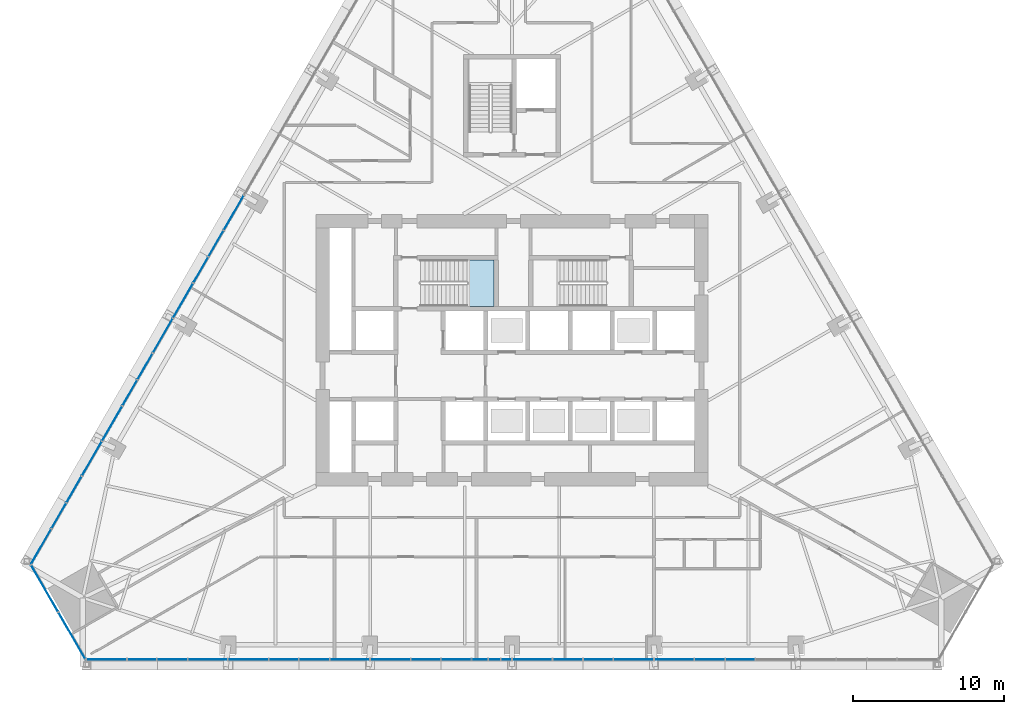
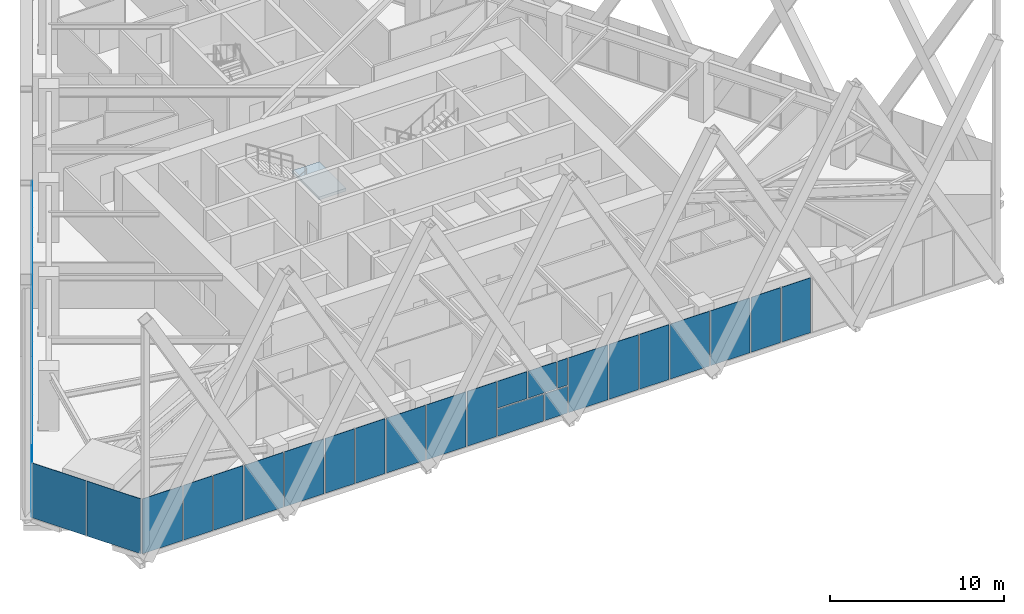
# One storey, part 13 of 21: 36 plates, 1 slab, 4 elements without a shape of their own.
"""IFC4 building model written with IfcOpenShell, lengths in metres."""

from ifc_helpers import new_model, si_unit, direction, frame, origin, place, context, subcontext, project, spatial, polyline, outline, extrude, material, layer, layer_set, type_object, element, aggregate, save


model = new_model("IFC4")

# Units and contexts
model_context = context("Model", 3, precision=1e-05, world=origin(), true_north=direction((0.0, 1.0)))
body_context = subcontext(model_context, "Body", "Model", "MODEL_VIEW")
ifc_project = project(units=[si_unit("LENGTHUNIT", "METRE"), si_unit("AREAUNIT", "SQUARE_METRE"), si_unit("VOLUMEUNIT", "CUBIC_METRE"), si_unit("PLANEANGLEUNIT", "RADIAN"), si_unit("MASSUNIT", "GRAM", prefix="KILO")], contexts=[model_context])

# Site, building, storey
site_placement = place(None, origin())
site = spatial("IfcSite", under=ifc_project, at=site_placement, CompositionType="ELEMENT")
building_placement = place(site_placement, origin())
building = spatial("IfcBuilding", under=site, at=building_placement, Name="Firuza Gate Tower and Library", CompositionType="ELEMENT")
storey_placement = place(building_placement, frame((0.0, 0.0, 90.39990234375)))
storey = spatial("IfcBuildingStorey", under=building, at=storey_placement, Name="L20", CompositionType="ELEMENT", Elevation=90.39990234375)

# Curtain wall, plates
ifc_material_1 = material(Name="Aluminium 6063-T6", Category="aluminium")
ifc_layer_1 = layer(ifc_material_1, 0.14990234375)
ifc_layer_set_1 = layer_set([ifc_layer_1], Name="Corner curtain wall, chamfers")
curtain_wall_type_1 = type_object("IfcCurtainWallType", Name="Corner curtain wall, chamfers", PredefinedType="NOTDEFINED", material=ifc_layer_set_1)
placement = place(storey_placement, origin())
curtain_wall_1 = element("IfcCurtainWall", 1, at=placement, inside=storey, type_object=curtain_wall_type_1, Name="CW4 L20 SW corner", PredefinedType="NOTDEFINED")
ifc_material_2 = material(Name="Fritted glass", Category="glass")
ifc_layer_2 = layer(ifc_material_2, 0.030029296875)
ifc_layer_set_2 = layer_set([ifc_layer_2], Name="Fritted glass unit, corners")
plate_type_1 = type_object("IfcPlateType", Name="Fritted glass unit, corners", PredefinedType="CURTAIN_PANEL", material=ifc_layer_set_2)
plate_1_placement = place(storey_placement, frame((43.1103515625, 60.749267578125, 0.150146484375), z_axis=(-0.866046390552, -0.49996364809, 0.0), x_axis=(0.49996364809, -0.866046390552, 0.0)))
plate_1 = element("IfcPlate", 2, at=plate_1_placement, type_object=plate_type_1, Name="Glass unit", PredefinedType="CURTAIN_PANEL", context=body_context, shape_type="SweptSolid", body=[
    extrude(outline(polyline([(0.0, 0.0), (3.563247342942594, 0.0), (3.563247342942594, 3.849853515625), (0.0, 3.849853515625), (0.0, 0.0)])), origin(), (0.0, 0.0, -1.0), 0.030029296875),
])
plate_2_placement = place(storey_placement, frame((44.931884765625, 57.593994140625, 0.150146484375), z_axis=(-0.866016723041, -0.500015035186, 0.0), x_axis=(0.500015035186, -0.866016723041, 0.0)))
plate_2 = element("IfcPlate", 3, at=plate_2_placement, type_object=plate_type_1, Name="Glass unit", PredefinedType="CURTAIN_PANEL", context=body_context, shape_type="SweptSolid", body=[
    extrude(outline(polyline([(0.0, 0.0), (3.5633694106530625, 0.0), (3.5633694106530625, 3.849853515625), (0.0, 3.849853515625), (0.0, 0.0)])), origin(), (0.0, 0.0, -1.0), 0.030029296875),
])
aggregate(curtain_wall_1, [plate_1, plate_2])

ifc_material_3 = material(Name="Aluminium 6063-T6", Category="aluminium")
ifc_layer_3 = layer(ifc_material_3, 0.14990234375)
ifc_layer_set_3 = layer_set([ifc_layer_3], Name="Unitised curtain wall, offices")
curtain_wall_type_2 = type_object("IfcCurtainWallType", Name="Unitised curtain wall, offices", PredefinedType="NOTDEFINED", material=ifc_layer_set_3)
curtain_wall_2 = element("IfcCurtainWall", 4, at=placement, inside=storey, type_object=curtain_wall_type_2, Name="CW1 L20 S face", PredefinedType="NOTDEFINED")
ifc_material_4 = material(Name="Fritted glass", Category="glass")
ifc_layer_4 = layer(ifc_material_4, 0.030029296875)
ifc_layer_set_4 = layer_set([ifc_layer_4], Name="Fritted glass unit, offices")
plate_type_2 = type_object("IfcPlateType", Name="Fritted glass unit, offices", PredefinedType="CURTAIN_PANEL", material=ifc_layer_set_4)
plate_3_placement = place(storey_placement, frame((49.514892578125, 54.466064453125, 0.150146484375), z_axis=(0.0, -1.0, 0.0), x_axis=(1.0, 0.0, 0.0)))
plate_3 = element("IfcPlate", 5, at=plate_3_placement, type_object=plate_type_2, Name="Glass unit", PredefinedType="CURTAIN_PANEL", context=body_context, shape_type="SweptSolid", body=[
    extrude(outline(polyline([(0.0, 0.0), (1.900634765625, 0.0), (1.900634765625, 3.849853515625), (0.0, 3.849853515625), (0.0, 0.0)])), origin(), (0.0, 0.0, -1.0), 0.030029296875),
])
plate_4_placement = place(storey_placement, frame((51.49560546875, 54.466064453125, 0.150146484375), z_axis=(0.0, -1.0, 0.0), x_axis=(1.0, 0.0, 0.0)))
plate_4 = element("IfcPlate", 6, at=plate_4_placement, type_object=plate_type_2, Name="Glass unit", PredefinedType="CURTAIN_PANEL", context=body_context, shape_type="SweptSolid", body=[
    extrude(outline(polyline([(0.0, 0.0), (1.97265625, 0.0), (1.97265625, 3.849853515625), (0.0, 3.849853515625), (0.0, 0.0)])), origin(), (0.0, 0.0, -1.0), 0.030029296875),
])
plate_5_placement = place(storey_placement, frame((58.918212890625, 54.466064453125, 0.150146484375), z_axis=(0.0, -1.0, 0.0), x_axis=(1.0, 0.0, 0.0)))
plate_5 = element("IfcPlate", 7, at=plate_5_placement, type_object=plate_type_2, Name="Glass unit", PredefinedType="CURTAIN_PANEL", context=body_context, shape_type="SweptSolid", body=[
    extrude(outline(polyline([(0.0, 0.0), (1.9150390625, 0.0), (1.9150390625, 3.849853515625), (0.0, 3.849853515625), (0.0, 0.0)])), origin(), (0.0, 0.0, -1.0), 0.030029296875),
])
plate_6_placement = place(storey_placement, frame((60.913330078125, 54.466064453125, 0.150146484375), z_axis=(0.0, -1.0, 0.0), x_axis=(1.0, 0.0, 0.0)))
plate_6 = element("IfcPlate", 8, at=plate_6_placement, type_object=plate_type_2, Name="Glass unit", PredefinedType="CURTAIN_PANEL", context=body_context, shape_type="SweptSolid", body=[
    extrude(outline(polyline([(0.0, 0.0), (1.958251953125, 0.0), (1.958251953125, 3.849853515625), (0.0, 3.849853515625), (0.0, 0.0)])), origin(), (0.0, 0.0, -1.0), 0.030029296875),
])
plate_7_placement = place(storey_placement, frame((68.321533203125, 54.466064453125, 0.150146484375), z_axis=(0.0, -1.0, 0.0), x_axis=(1.0, 0.0, 0.0)))
plate_7 = element("IfcPlate", 9, at=plate_7_placement, type_object=plate_type_2, Name="Glass unit", PredefinedType="CURTAIN_PANEL", context=body_context, shape_type="SweptSolid", body=[
    extrude(outline(polyline([(0.0, 0.0), (1.929443359375, 0.0), (1.929443359375, 3.849853515625), (0.0, 3.849853515625), (0.0, 0.0)])), origin(), (0.0, 0.0, -1.0), 0.030029296875),
])
plate_8_placement = place(storey_placement, frame((70.3310546875, 54.466064453125, 0.150146484375), z_axis=(0.0, -1.0, 0.0), x_axis=(1.0, 0.0, 0.0)))
plate_8 = element("IfcPlate", 10, at=plate_8_placement, type_object=plate_type_2, Name="Glass unit", PredefinedType="CURTAIN_PANEL", context=body_context, shape_type="SweptSolid", body=[
    extrude(outline(polyline([(0.0, 0.0), (3.043701171875, 0.0), (3.043701171875, 1.885009765625), (0.0, 1.885009765625), (0.0, 0.0)])), origin(), (0.0, 0.0, -1.0), 0.030029296875),
])
plate_9_placement = place(storey_placement, frame((70.3310546875, 54.466064453125, 2.114990234375), z_axis=(0.0, -1.0, 0.0), x_axis=(1.0, 0.0, 0.0)))
plate_9 = element("IfcPlate", 11, at=plate_9_placement, type_object=plate_type_2, Name="Glass unit", PredefinedType="CURTAIN_PANEL", context=body_context, shape_type="SweptSolid", body=[
    extrude(outline(polyline([(0.0, 0.0), (1.94384765625, 0.0), (1.94384765625, 1.885009765625), (0.0, 1.885009765625), (0.0, 0.0)])), origin(), (0.0, 0.0, -1.0), 0.030029296875),
])
plate_10_placement = place(storey_placement, frame((74.30224609375, 54.466064453125, 2.114990234375), z_axis=(0.0, -1.0, 0.0), x_axis=(1.0, 0.0, 0.0)))
plate_10 = element("IfcPlate", 12, at=plate_10_placement, type_object=plate_type_2, Name="Glass unit", PredefinedType="CURTAIN_PANEL", context=body_context, shape_type="SweptSolid", body=[
    extrude(outline(polyline([(0.0, 0.0), (0.65771484375, 0.0), (0.65771484375, 1.885009765625), (0.0, 1.885009765625), (0.0, 0.0)])), origin(), (0.0, 0.0, -1.0), 0.030029296875),
])
plate_11_placement = place(storey_placement, frame((77.72509765625, 54.466064453125, 0.150146484375), z_axis=(0.0, -1.0, 0.0), x_axis=(1.0, 0.0, 0.0)))
plate_11 = element("IfcPlate", 13, at=plate_11_placement, type_object=plate_type_2, Name="Glass unit", PredefinedType="CURTAIN_PANEL", context=body_context, shape_type="SweptSolid", body=[
    extrude(outline(polyline([(0.0, 0.0), (1.94384765625, 0.0), (1.94384765625, 3.849853515625), (0.0, 3.849853515625), (0.0, 0.0)])), origin(), (0.0, 0.0, -1.0), 0.030029296875),
])
plate_12_placement = place(storey_placement, frame((79.7490234375, 54.466064453125, 0.150146484375), z_axis=(0.0, -1.0, 0.0), x_axis=(1.0, 0.0, 0.0)))
plate_12 = element("IfcPlate", 14, at=plate_12_placement, type_object=plate_type_2, Name="Glass unit", PredefinedType="CURTAIN_PANEL", context=body_context, shape_type="SweptSolid", body=[
    extrude(outline(polyline([(0.0, 0.0), (1.929443359375, 0.0), (1.929443359375, 3.849853515625), (0.0, 3.849853515625), (0.0, 0.0)])), origin(), (0.0, 0.0, -1.0), 0.030029296875),
])
plate_13_placement = place(storey_placement, frame((87.12841796875, 54.466064453125, 0.150146484375), z_axis=(0.0, -1.0, 0.0), x_axis=(1.0, 0.0, 0.0)))
plate_13 = element("IfcPlate", 15, at=plate_13_placement, type_object=plate_type_2, Name="Glass unit", PredefinedType="CURTAIN_PANEL", context=body_context, shape_type="SweptSolid", body=[
    extrude(outline(polyline([(0.0, 0.0), (1.958251953125, 0.0), (1.958251953125, 3.849853515625), (0.0, 3.849853515625), (0.0, 0.0)])), origin(), (0.0, 0.0, -1.0), 0.030029296875),
])
plate_14_placement = place(storey_placement, frame((89.166748046875, 54.466064453125, 0.150146484375), z_axis=(0.0, -1.0, 0.0), x_axis=(1.0, 0.0, 0.0)))
plate_14 = element("IfcPlate", 16, at=plate_14_placement, type_object=plate_type_2, Name="Glass unit", PredefinedType="CURTAIN_PANEL", context=body_context, shape_type="SweptSolid", body=[
    extrude(outline(polyline([(0.0, 0.0), (1.9150390625, 0.0), (1.9150390625, 3.849853515625), (0.0, 3.849853515625), (0.0, 0.0)])), origin(), (0.0, 0.0, -1.0), 0.030029296875),
])

curtain_wall_3 = element("IfcCurtainWall", 17, at=placement, inside=storey, type_object=curtain_wall_type_2, Name="CW1 L20 W face", PredefinedType="NOTDEFINED")
plate_15_placement = place(storey_placement, frame((55.8544921875, 82.9072265625, 0.150146484375), z_axis=(-0.866047560712, 0.499961621113, 0.0), x_axis=(-0.499961621113, -0.866047560712, 0.0)))
plate_15 = element("IfcPlate", 18, at=plate_15_placement, type_object=plate_type_2, Name="Glass unit", PredefinedType="CURTAIN_PANEL", context=body_context, shape_type="SweptSolid", body=[
    extrude(outline(polyline([(0.0, 0.0), (1.9439968731240842, 0.0), (1.9439968731240842, 3.849853515625), (0.0, 3.849853515625), (0.0, 0.0)])), origin(), (0.0, 0.0, -1.0), 0.030029296875),
])
plate_16_placement = place(storey_placement, frame((54.842529296875, 81.154296875, 0.150146484375), z_axis=(-0.866046511925, 0.499963437846, 0.0), x_axis=(-0.499963437846, -0.866046511925, 0.0)))
plate_16 = element("IfcPlate", 19, at=plate_16_placement, type_object=plate_type_2, Name="Glass unit", PredefinedType="CURTAIN_PANEL", context=body_context, shape_type="SweptSolid", body=[
    extrude(outline(polyline([(0.0, 0.0), (1.9293403004255998, 0.0), (1.9293403004255998, 3.849853515625), (0.0, 3.849853515625), (0.0, 0.0)])), origin(), (0.0, 0.0, -1.0), 0.030029296875),
])
plate_17_placement = place(storey_placement, frame((51.15283203125, 74.763427734375, 0.150146484375), z_axis=(-0.865986260037, 0.500067792832, 0.0), x_axis=(-0.500067792832, -0.865986260037, 0.0)))
plate_17 = element("IfcPlate", 20, at=plate_17_placement, type_object=plate_type_2, Name="Glass unit", PredefinedType="CURTAIN_PANEL", context=body_context, shape_type="SweptSolid", body=[
    extrude(outline(polyline([(0.0, 0.0), (1.9582305857576152, 0.0), (1.9582305857576152, 3.849853515625), (0.0, 3.849853515625), (0.0, 0.0)])), origin(), (0.0, 0.0, -1.0), 0.030029296875),
])
plate_18_placement = place(storey_placement, frame((50.133544921875, 72.998291015625, 0.150146484375), z_axis=(-0.866022112445, 0.500005700723, 0.0), x_axis=(-0.500005700723, -0.866022112445, 0.0)))
plate_18 = element("IfcPlate", 21, at=plate_18_placement, type_object=plate_type_2, Name="Glass unit", PredefinedType="CURTAIN_PANEL", context=body_context, shape_type="SweptSolid", body=[
    extrude(outline(polyline([(0.0, 0.0), (1.915017228534579, 0.0), (1.915017228534579, 3.849853515625001), (0.0, 3.849853515625001), (0.0, 0.0)])), origin(), (0.0, 0.0, -1.0), 0.030029296875),
])
plate_19_placement = place(storey_placement, frame((46.451171875, 66.619873046875, 0.150146484375), z_axis=(-0.866010388301, 0.500026006679, 0.0), x_axis=(-0.500026006679, -0.866010388301, 0.0)))
plate_19 = element("IfcPlate", 22, at=plate_19_placement, type_object=plate_type_2, Name="Glass unit", PredefinedType="CURTAIN_PANEL", context=body_context, shape_type="SweptSolid", body=[
    extrude(outline(polyline([(0.0, 0.0), (1.9725536508600703, 0.0), (1.9725536508600703, 3.849853515625), (0.0, 3.849853515625), (0.0, 0.0)])), origin(), (0.0, 0.0, -1.0), 0.030029296875),
])
plate_20_placement = place(storey_placement, frame((45.4248046875, 64.84228515625, 0.150146484375), z_axis=(-0.865997343122, 0.500048599344, 0.0), x_axis=(-0.500048599344, -0.865997343122, 0.0)))
plate_20 = element("IfcPlate", 23, at=plate_20_placement, type_object=plate_type_2, Name="Glass unit", PredefinedType="CURTAIN_PANEL", context=body_context, shape_type="SweptSolid", body=[
    extrude(outline(polyline([(0.0, 0.0), (1.9006941612728778, 0.0), (1.9006941612728778, 3.849853515625), (0.0, 3.849853515625), (0.0, 0.0)])), origin(), (0.0, 0.0, -1.0), 0.030029296875),
])

# Plate
ifc_material_5 = material(Name="Glazed ceramic tile")
ifc_layer_5 = layer(ifc_material_5, 0.030029296875)
ifc_layer_set_5 = layer_set([ifc_layer_5], Name="Opaque ceramic panel, offices")
plate_type_3 = type_object("IfcPlateType", Name="Opaque ceramic panel, offices", PredefinedType="CURTAIN_PANEL", material=ifc_layer_set_5)
plate_21_placement = place(storey_placement, frame((46.78662109375, 54.466064453125, 0.150146484375), z_axis=(0.0, -1.0, 0.0), x_axis=(1.0, 0.0, 0.0)))
plate_21 = element("IfcPlate", 24, at=plate_21_placement, type_object=plate_type_3, Name="Opaque ceramic panel", PredefinedType="CURTAIN_PANEL", context=body_context, shape_type="SweptSolid", body=[
    extrude(outline(polyline([(0.0, 0.0), (2.648193359375, 0.0), (2.648193359375, 3.849853515625), (0.0, 3.849853515625), (0.0, 0.0)])), origin(), (0.0, 0.0, -1.0), 0.030029296875),
])

plate_22_placement = place(storey_placement, frame((53.54833984375, 54.466064453125, 0.150146484375), z_axis=(0.0, -1.0, 0.0), x_axis=(1.0, 0.0, 0.0)))
plate_22 = element("IfcPlate", 25, at=plate_22_placement, type_object=plate_type_3, Name="Opaque ceramic panel", PredefinedType="CURTAIN_PANEL", context=body_context, shape_type="SweptSolid", body=[
    extrude(outline(polyline([(0.0, 0.0), (2.576171875, 0.0), (2.576171875, 3.849853515625), (0.0, 3.849853515625), (0.0, 0.0)])), origin(), (0.0, 0.0, -1.0), 0.030029296875),
])

plate_23_placement = place(storey_placement, frame((56.204345703125, 54.466064453125, 0.150146484375), z_axis=(0.0, -1.0, 0.0), x_axis=(1.0, 0.0, 0.0)))
plate_23 = element("IfcPlate", 26, at=plate_23_placement, type_object=plate_type_3, Name="Opaque ceramic panel", PredefinedType="CURTAIN_PANEL", context=body_context, shape_type="SweptSolid", body=[
    extrude(outline(polyline([(0.0, 0.0), (2.6337890625, 0.0), (2.6337890625, 3.849853515625), (0.0, 3.849853515625), (0.0, 0.0)])), origin(), (0.0, 0.0, -1.0), 0.030029296875),
])

plate_24_placement = place(storey_placement, frame((62.95166015625, 54.466064453125, 0.150146484375), z_axis=(0.0, -1.0, 0.0), x_axis=(1.0, 0.0, 0.0)))
plate_24 = element("IfcPlate", 27, at=plate_24_placement, type_object=plate_type_3, Name="Opaque ceramic panel", PredefinedType="CURTAIN_PANEL", context=body_context, shape_type="SweptSolid", body=[
    extrude(outline(polyline([(0.0, 0.0), (2.590576171875, 0.0), (2.590576171875, 3.849853515625), (0.0, 3.849853515625), (0.0, 0.0)])), origin(), (0.0, 0.0, -1.0), 0.030029296875),
])

plate_25_placement = place(storey_placement, frame((65.622314453125, 54.466064453125, 0.150146484375), z_axis=(0.0, -1.0, 0.0), x_axis=(1.0, 0.0, 0.0)))
plate_25 = element("IfcPlate", 28, at=plate_25_placement, type_object=plate_type_3, Name="Opaque ceramic panel", PredefinedType="CURTAIN_PANEL", context=body_context, shape_type="SweptSolid", body=[
    extrude(outline(polyline([(0.0, 0.0), (2.619384765625, 0.0), (2.619384765625, 3.849853515625), (0.0, 3.849853515625), (0.0, 0.0)])), origin(), (0.0, 0.0, -1.0), 0.030029296875),
])

plate_26_placement = place(storey_placement, frame((73.454833984375, 54.466064453125, 0.150146484375), z_axis=(0.0, -1.0, 0.0), x_axis=(1.0, 0.0, 0.0)))
plate_26 = element("IfcPlate", 29, at=plate_26_placement, type_object=plate_type_3, Name="Opaque ceramic panel", PredefinedType="CURTAIN_PANEL", context=body_context, shape_type="SweptSolid", body=[
    extrude(outline(polyline([(0.0, 0.0), (1.505126953125, 0.0), (1.505126953125, 1.885009765625), (0.0, 1.885009765625), (0.0, 0.0)])), origin(), (0.0, 0.0, -1.0), 0.030029296875),
])

plate_27_placement = place(storey_placement, frame((72.35498046875, 54.466064453125, 2.114990234375), z_axis=(0.0, -1.0, 0.0), x_axis=(1.0, 0.0, 0.0)))
plate_27 = element("IfcPlate", 30, at=plate_27_placement, type_object=plate_type_3, Name="Opaque ceramic panel", PredefinedType="CURTAIN_PANEL", context=body_context, shape_type="SweptSolid", body=[
    extrude(outline(polyline([(0.0, 0.0), (1.8671875, 0.0), (1.8671875, 1.885009765625), (0.0, 1.885009765625), (0.0, 0.0)])), origin(), (0.0, 0.0, -1.0), 0.030029296875),
])

plate_28_placement = place(storey_placement, frame((75.0400390625, 54.466064453125, 0.150146484375), z_axis=(0.0, -1.0, 0.0), x_axis=(1.0, 0.0, 0.0)))
plate_28 = element("IfcPlate", 31, at=plate_28_placement, type_object=plate_type_3, Name="Opaque ceramic panel", PredefinedType="CURTAIN_PANEL", context=body_context, shape_type="SweptSolid", body=[
    extrude(outline(polyline([(0.0, 0.0), (2.60498046875, 0.0), (2.60498046875, 3.849853515625), (0.0, 3.849853515625), (0.0, 0.0)])), origin(), (0.0, 0.0, -1.0), 0.030029296875),
])

plate_29_placement = place(storey_placement, frame((81.75830078125, 54.466064453125, 0.150146484375), z_axis=(0.0, -1.0, 0.0), x_axis=(1.0, 0.0, 0.0)))
plate_29 = element("IfcPlate", 32, at=plate_29_placement, type_object=plate_type_3, Name="Opaque ceramic panel", PredefinedType="CURTAIN_PANEL", context=body_context, shape_type="SweptSolid", body=[
    extrude(outline(polyline([(0.0, 0.0), (2.619384765625, 0.0), (2.619384765625, 3.849853515625), (0.0, 3.849853515625), (0.0, 0.0)])), origin(), (0.0, 0.0, -1.0), 0.030029296875),
])

plate_30_placement = place(storey_placement, frame((84.457763671875, 54.466064453125, 0.150146484375), z_axis=(0.0, -1.0, 0.0), x_axis=(1.0, 0.0, 0.0)))
plate_30 = element("IfcPlate", 33, at=plate_30_placement, type_object=plate_type_3, Name="Opaque ceramic panel", PredefinedType="CURTAIN_PANEL", context=body_context, shape_type="SweptSolid", body=[
    extrude(outline(polyline([(0.0, 0.0), (2.590576171875, 0.0), (2.590576171875, 3.849853515625), (0.0, 3.849853515625), (0.0, 0.0)])), origin(), (0.0, 0.0, -1.0), 0.030029296875),
])

aggregate(curtain_wall_2, [plate_21, plate_3, plate_4, plate_22, plate_23, plate_5, plate_6, plate_24, plate_25, plate_7, plate_8, plate_26, plate_9, plate_27, plate_10, plate_28, plate_11, plate_12, plate_29, plate_30, plate_13, plate_14])

plate_31_placement = place(storey_placement, frame((57.197021484375, 85.232421875, 0.150146484375), z_axis=(-0.866037327638, 0.49997934671, 0.0), x_axis=(-0.49997934671, -0.866037327638, 0.0)))
plate_31 = element("IfcPlate", 34, at=plate_31_placement, type_object=plate_type_3, Name="Opaque ceramic panel", PredefinedType="CURTAIN_PANEL", context=body_context, shape_type="SweptSolid", body=[
    extrude(outline(polyline([(0.0, 0.0), (2.605088076026937, 0.0), (2.605088076026937, 3.849853515625001), (0.0, 3.849853515625001), (0.0, 0.0)])), origin(), (0.0, 0.0, -1.0), 0.030029296875),
])

plate_32_placement = place(storey_placement, frame((53.837890625, 79.4140625, 0.150146484375), z_axis=(-0.866014858412, 0.500018264677, 0.0), x_axis=(-0.500018264677, -0.866014858412, 0.0)))
plate_32 = element("IfcPlate", 35, at=plate_32_placement, type_object=plate_type_3, Name="Opaque ceramic panel", PredefinedType="CURTAIN_PANEL", context=body_context, shape_type="SweptSolid", body=[
    extrude(outline(polyline([(0.0, 0.0), (2.619533216394357, 0.0), (2.619533216394357, 3.849853515625), (0.0, 3.849853515625), (0.0, 0.0)])), origin(), (0.0, 0.0, -1.0), 0.030029296875),
])

plate_33_placement = place(storey_placement, frame((52.488037109375, 77.076416015625, 0.150146484375), z_axis=(-0.866060045659, 0.499939993713, 0.0), x_axis=(-0.499939993713, -0.866060045659, 0.0)))
plate_33 = element("IfcPlate", 36, at=plate_33_placement, type_object=plate_type_3, Name="Opaque ceramic panel", PredefinedType="CURTAIN_PANEL", context=body_context, shape_type="SweptSolid", body=[
    extrude(outline(polyline([(0.0, 0.0), (2.590642940979093, 0.0), (2.590642940979093, 3.849853515625), (0.0, 3.849853515625), (0.0, 0.0)])), origin(), (0.0, 0.0, -1.0), 0.030029296875),
])

plate_34_placement = place(storey_placement, frame((49.13623046875, 71.2705078125, 0.150146484375), z_axis=(-0.865992633914, 0.500056754786, 0.0), x_axis=(-0.500056754786, -0.865992633914, 0.0)))
plate_34 = element("IfcPlate", 37, at=plate_34_placement, type_object=plate_type_3, Name="Opaque ceramic panel", PredefinedType="CURTAIN_PANEL", context=body_context, shape_type="SweptSolid", body=[
    extrude(outline(polyline([(0.0, 0.0), (2.633978361993834, 0.0), (2.633978361993834, 3.849853515625), (0.0, 3.849853515625), (0.0, 0.0)])), origin(), (0.0, 0.0, -1.0), 0.030029296875),
])

plate_35_placement = place(storey_placement, frame((47.779296875, 68.920166015625, 0.150146484375), z_axis=(-0.866018294426, 0.500012313569, 0.0), x_axis=(-0.500012313569, -0.866018294426, 0.0)))
plate_35 = element("IfcPlate", 38, at=plate_35_placement, type_object=plate_type_3, Name="Opaque ceramic panel", PredefinedType="CURTAIN_PANEL", context=body_context, shape_type="SweptSolid", body=[
    extrude(outline(polyline([(0.0, 0.0), (2.576108432824416, 0.0), (2.576108432824416, 3.849853515625), (0.0, 3.849853515625), (0.0, 0.0)])), origin(), (0.0, 0.0, -1.0), 0.030029296875),
])

plate_36_placement = place(storey_placement, frame((44.434326171875, 63.126953125, 0.150146484375), z_axis=(-0.86605048973, 0.49995654735, 0.0), x_axis=(-0.49995654735, -0.86605048973, 0.0)))
plate_36 = element("IfcPlate", 39, at=plate_36_placement, type_object=plate_type_3, Name="Opaque ceramic panel", PredefinedType="CURTAIN_PANEL", context=body_context, shape_type="SweptSolid", body=[
    extrude(outline(polyline([(0.0, 0.0), (2.6481793595713543, 0.0), (2.6481793595713543, 3.849853515625), (0.0, 3.849853515625), (0.0, 0.0)])), origin(), (0.0, 0.0, -1.0), 0.030029296875),
])

aggregate(curtain_wall_3, [plate_31, plate_15, plate_16, plate_32, plate_33, plate_17, plate_18, plate_34, plate_35, plate_19, plate_20, plate_36])

# Stair, slab
ifc_material_6 = material(Name="Concrete C35/45", Category="concrete")
stair_type = type_object("IfcStairType", Name="Exit stair ST5", PredefinedType="HALF_TURN_STAIR", material=ifc_material_6)
stair = element("IfcStair", 40, at=placement, inside=storey, type_object=stair_type, Name="L20 Stair ST1", PredefinedType="HALF_TURN_STAIR")
ifc_material_7 = material(Name="Concrete C35/45", Category="concrete")
ifc_layer_6 = layer(ifc_material_7, 0.199951171875)
ifc_layer_set_6 = layer_set([ifc_layer_6], Name="Stair landing 200")
slab_type = type_object("IfcSlabType", Name="Stair landing 200", PredefinedType="LANDING", material=ifc_layer_set_6)
slab_placement = place(storey_placement, frame((0.0, 0.0, 1.900146484375)))
slab = element("IfcSlab", 41, at=slab_placement, type_object=slab_type, Name="ST1 landing 1", PredefinedType="LANDING", context=body_context, shape_type="SweptSolid", body=[
    extrude(outline(polyline([(72.02001953125, 77.89990234375), (73.81005859375, 77.89990234375), (73.81005859375, 80.97998046875), (72.02001953125, 80.97998046875), (72.02001953125, 77.89990234375)])), origin(), (0.0, 0.0, 1.0), 0.199951171875),
])
aggregate(stair, [slab])

save(model, "model.ifc")
